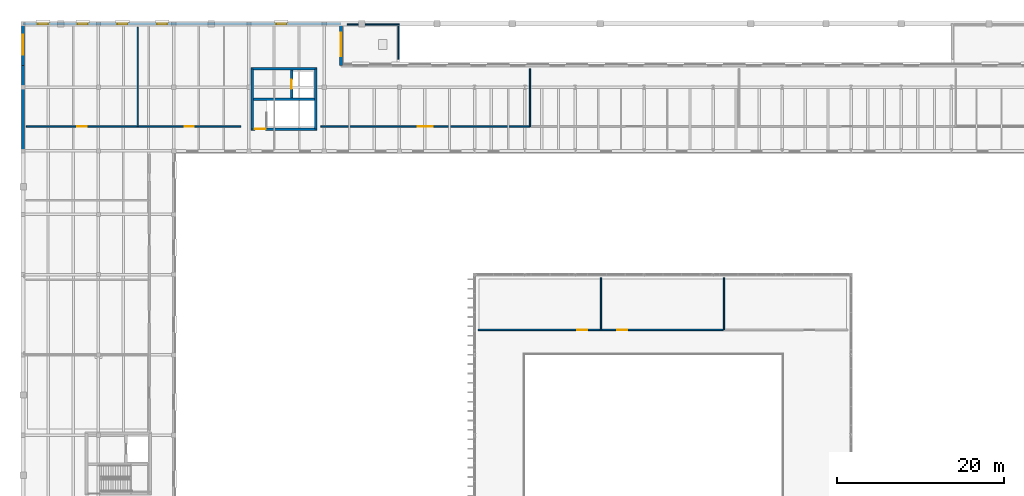
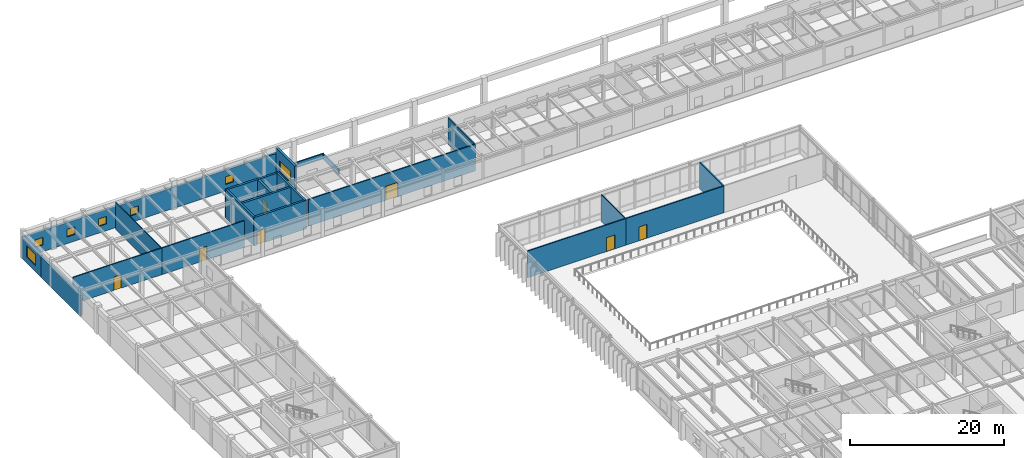
# One storey, part 47 of 64: 21 walls, 7 doors, 7 windows, 14 openings.
"""IFC4 building model written with IfcOpenShell, lengths in metres."""

from ifc_helpers import new_model, si_unit, direction, frame, frame_2d, origin, place, context, subcontext, project, spatial, rectangle, extrude, material, layer, layer_set, type_object, element, fill, save


model = new_model("IFC4")

# Units and contexts
model_context = context("Model", 3, precision=1e-05, world=origin(), true_north=direction((0.0, 1.0)))
body_context = subcontext(model_context, "Body", "Model", "MODEL_VIEW")
ifc_project = project(units=[si_unit("LENGTHUNIT", "METRE"), si_unit("AREAUNIT", "SQUARE_METRE"), si_unit("VOLUMEUNIT", "CUBIC_METRE"), si_unit("PLANEANGLEUNIT", "RADIAN"), si_unit("MASSUNIT", "GRAM", prefix="KILO")], contexts=[model_context])

# Site, building, storey
site_placement = place(None, origin())
site = spatial("IfcSite", under=ifc_project, at=site_placement, CompositionType="ELEMENT")
building_placement = place(site_placement, origin())
building = spatial("IfcBuilding", under=site, at=building_placement, Name="Montealbar Specialist Clinic", CompositionType="ELEMENT")
storey_placement = place(building_placement, frame((0.0, 0.0, 5.10009765625)))
storey = spatial("IfcBuildingStorey", under=building, at=storey_placement, Name="L01", CompositionType="ELEMENT", Elevation=5.10009765625)

# Wall, opening, door
ifc_material_1 = material(Name="Concrete C35/45", Category="concrete")
ifc_layer_1 = layer(ifc_material_1, 0.300048828125, Name="Concrete C35/45", Category="concrete")
ifc_layer_set_1 = layer_set([ifc_layer_1], Name="Concrete C35/45")
wall_type_1 = type_object("IfcWallType", Name="WL-CORE-300", PredefinedType="SHEAR", material=ifc_layer_set_1)
wall_1_placement = place(storey_placement, frame((27.25, 98.39990234375, 0.0), z_axis=(0.0, 0.0, 1.0), x_axis=(1.0, 0.0, 0.0)))
wall_1 = element("IfcWall", 1, at=wall_1_placement, inside=storey, type_object=wall_type_1, Name="Core C2 Shear Wall L01 S", PredefinedType="SHEAR", context=body_context, shape_type="SweptSolid", body=[
    extrude(rectangle(XDim=7.89990234375, YDim=0.300048828125, at=frame_2d((3.949951171875, 0.0))), origin(), (0.0, 0.0, 1.0), 4.5),
])
opening_1_placement = place(wall_1_placement, frame((0.449951171875, 0.0, 0.0)))
opening_1 = element("IfcOpeningElement", 2, at=opening_1_placement, cuts=wall_1, Name="Opening SD-13", PredefinedType="OPENING", context=body_context, shape_type="SweptSolid", body=[
    extrude(rectangle(XDim=1.300048828125, YDim=2.14990234375, at=frame_2d((0.64990234375, 1.074951171875))), frame((0.0, 0.159912109375, 0.0), z_axis=(0.0, -1.0, 0.0), x_axis=(1.0, 0.0, 0.0)), (0.0, 0.0, 1.0), 0.320068359375),
])
ifc_material_2 = material(Name="Steel S355", Category="steel")
door_type_1 = type_object("IfcDoorType", Name="DR-STAIR-W1300", OperationType="NOTDEFINED", PredefinedType="DOOR", material=ifc_material_2)
door_1_placement = place(opening_1_placement, frame((1.300048828125, 0.0, 0.0), z_axis=(0.0, 0.0, 1.0), x_axis=(-1.0, 0.0, 0.0)))
door_1 = element("IfcDoor", 3, at=door_1_placement, inside=storey, type_object=door_type_1, Name="Protected Core C2 Stair Fire Door L01", OperationType="SINGLE_SWING_LEFT", OverallHeight=2.14990234375, OverallWidth=1.300048828125, PredefinedType="DOOR", context=body_context, shape_type="SweptSolid", body=[
    extrude(rectangle(XDim=1.300048828125, YDim=2.14990234375, at=frame_2d((0.64990234375, 1.074951171875))), frame((0.0, 0.02490234375, 0.0), z_axis=(0.0, -1.0, 0.0), x_axis=(1.0, 0.0, 0.0)), (0.0, 0.0, 1.0), 0.050048828125),
])
fill(opening_1, door_1)

# Walls
wall_2_placement = place(storey_placement, frame((27.25, 105.60009765625, 0.0), z_axis=(0.0, 0.0, 1.0), x_axis=(1.0, 0.0, 0.0)))
element("IfcWall", 4, at=wall_2_placement, inside=storey, type_object=wall_type_1, Name="Core C2 Shear Wall L01 N", PredefinedType="SHEAR", context=body_context, shape_type="SweptSolid", body=[
    extrude(rectangle(XDim=7.89990234375, YDim=0.300048828125, at=frame_2d((3.949951171875, 0.0))), origin(), (0.0, 0.0, 1.0), 4.5),
])
for number, where, z_axis, x_axis, name in (
    (5, (27.39990234375, 98.39990234375, 0.0), (0.0, 0.0, 1.0), (0.0, 1.0, 0.0), "Core C2 Shear Wall L01 W"),
    (6, (35.0, 98.39990234375, 0.0), (0.0, 0.0, 1.0), (0.0, 1.0, 0.0), "Core C2 Shear Wall L01 E"),
):
    element("IfcWall", number, at=place(storey_placement, frame(where, z_axis=z_axis, x_axis=x_axis)), inside=storey, type_object=wall_type_1, Name=name, PredefinedType="SHEAR", context=body_context, shape_type="SweptSolid", body=[
        extrude(rectangle(XDim=7.2001953125, YDim=0.300048828125, at=frame_2d((3.60009765625, 0.0))), origin(), (0.0, 0.0, 1.0), 4.5),
    ])
wall_3_placement = place(storey_placement, frame((27.550048828125, 101.949951171875, 0.0), z_axis=(0.0, 0.0, 1.0), x_axis=(1.0, 0.0, 0.0)))
element("IfcWall", 7, at=wall_3_placement, inside=storey, type_object=wall_type_1, Name="Core C2 Stairwell Wall L01", PredefinedType="SHEAR", context=body_context, shape_type="SweptSolid", body=[
    extrude(rectangle(XDim=7.300048828125, YDim=0.300048828125, at=frame_2d((3.64990234375, 0.0))), origin(), (0.0, 0.0, 1.0), 4.5),
])

# Wall, opening, door
wall_4_placement = place(storey_placement, frame((32.10009765625, 102.10009765625, 0.0), z_axis=(0.0, 0.0, 1.0), x_axis=(0.0, 1.0, 0.0)))
wall_4 = element("IfcWall", 8, at=wall_4_placement, inside=storey, type_object=wall_type_1, Name="Lift LF-02 Shaft Wall L01 LW", PredefinedType="SHEAR", context=body_context, shape_type="SweptSolid", body=[
    extrude(rectangle(XDim=3.349853515625, YDim=0.300048828125, at=frame_2d((1.6748046875, 0.0))), origin(), (0.0, 0.0, 1.0), 4.5),
])
opening_2_placement = place(wall_4_placement, frame((1.125, 0.0, 0.0)))
opening_2 = element("IfcOpeningElement", 9, at=opening_2_placement, cuts=wall_4, Name="Opening LD-11", PredefinedType="OPENING", context=body_context, shape_type="SweptSolid", body=[
    extrude(rectangle(XDim=1.10009765625, YDim=2.14990234375, at=frame_2d((0.550048828125, 1.074951171875))), frame((0.0, 0.159912109375, 0.0), z_axis=(0.0, -1.0, 0.0), x_axis=(1.0, 0.0, 0.0)), (0.0, 0.0, 1.0), 0.320068359375),
])
door_type_2 = type_object("IfcDoorType", Name="DR-LIFT-LD1100", OperationType="DOUBLE_DOOR_SLIDING", PredefinedType="DOOR", material=ifc_material_2)
door_2_placement = place(opening_2_placement, origin())
door_2 = element("IfcDoor", 10, at=door_2_placement, inside=storey, type_object=door_type_2, Name="Lift LF-02 Sliding Landing Door L01", OperationType="DOUBLE_DOOR_SLIDING", OverallHeight=2.14990234375, OverallWidth=1.10009765625, PredefinedType="DOOR", context=body_context, shape_type="SweptSolid", body=[
    extrude(rectangle(XDim=1.10009765625, YDim=2.14990234375, at=frame_2d((0.550048828125, 1.074951171875))), frame((0.0, 0.02490234375, 0.0), z_axis=(0.0, -1.0, 0.0), x_axis=(1.0, 0.0, 0.0)), (0.0, 0.0, 1.0), 0.050048828125),
])
fill(opening_2, door_2)

# Wall
ifc_material_3 = material(Name="Guadarrama granite ashlar", Category="masonry")
ifc_layer_2 = layer(ifc_material_3, 0.35009765625, Name="Guadarrama granite ashlar", Category="masonry")
ifc_layer_set_2 = layer_set([ifc_layer_2], Name="Guadarrama granite ashlar")
wall_type_2 = type_object("IfcWallType", Name="WL-EXT-GRANITE-350", PredefinedType="SOLIDWALL", material=ifc_layer_set_2)
wall_5_placement = place(storey_placement, frame((0.0, 95.800048828125, 0.0), z_axis=(0.0, 0.0, 1.0), x_axis=(0.0, 1.0, 0.0)))
element("IfcWall", 11, at=wall_5_placement, inside=storey, type_object=wall_type_2, Name="Exterior Facade Wall EW-L01-023", PredefinedType="SOLIDWALL", context=body_context, shape_type="SweptSolid", body=[
    extrude(rectangle(XDim=10.199951171875, YDim=0.35009765625, at=frame_2d((5.10009765625, 0.0))), origin(), (0.0, 0.0, 1.0), 3.27978515625),
])

# Wall, opening, window
wall_6_placement = place(storey_placement, frame((0.0, 106.0, 0.0), z_axis=(0.0, 0.0, 1.0), x_axis=(0.0, 1.0, 0.0)))
wall_6 = element("IfcWall", 12, at=wall_6_placement, inside=storey, type_object=wall_type_2, Name="Exterior Facade Wall EW-L01-024", PredefinedType="SOLIDWALL", context=body_context, shape_type="SweptSolid", body=[
    extrude(rectangle(XDim=5.0, YDim=0.35009765625, at=frame_2d((2.5, 0.0))), origin(), (0.0, 0.0, 1.0), 3.329833984375),
])
opening_3_placement = place(wall_6_placement, frame((1.300048828125, 0.0, 0.949951171875)))
opening_3 = element("IfcOpeningElement", 13, at=opening_3_placement, cuts=wall_6, Name="Opening WN-09", PredefinedType="OPENING", context=body_context, shape_type="SweptSolid", body=[
    extrude(rectangle(XDim=2.39990234375, YDim=1.75, at=frame_2d((1.199951171875, 0.875))), frame((0.0, 0.18505859375, 0.0), z_axis=(0.0, -1.0, 0.0), x_axis=(1.0, 0.0, 0.0)), (0.0, 0.0, 1.0), 0.3701171875),
])
ifc_material_4 = material(Name="Low-E double glazing", Category="glass")
window_type_1 = type_object("IfcWindowType", Name="WIN-WN-09", PartitioningType="SINGLE_PANEL", PredefinedType="WINDOW", material=ifc_material_4)
window_1_placement = place(opening_3_placement, origin())
window_1 = element("IfcWindow", 14, at=window_1_placement, inside=storey, type_object=window_type_1, Name="Clinical Facade Window WN-09 L01-0070", OverallHeight=1.75, OverallWidth=2.39990234375, PartitioningType="SINGLE_PANEL", PredefinedType="WINDOW", context=body_context, shape_type="SweptSolid", body=[
    extrude(rectangle(XDim=2.39990234375, YDim=1.75, at=frame_2d((1.199951171875, 0.875))), frame((0.0, 0.030029296875, 0.0), z_axis=(0.0, -1.0, 0.0), x_axis=(1.0, 0.0, 0.0)), (0.0, 0.0, 1.0), 0.06005859375),
])
fill(opening_3, window_1)

# Wall, openings, windows
wall_7_placement = place(storey_placement, frame((0.0, 111.0, 0.0), z_axis=(0.0, 0.0, 1.0), x_axis=(1.0, 0.0, 0.0)))
wall_7 = element("IfcWall", 15, at=wall_7_placement, inside=storey, type_object=wall_type_2, Name="Exterior Facade Wall EW-L01-025", PredefinedType="SOLIDWALL", context=body_context, shape_type="SweptSolid", body=[
    extrude(rectangle(XDim=38.0, YDim=0.35009765625, at=frame_2d((19.0, 0.0))), origin(), (0.0, 0.0, 1.0), 3.329833984375),
])
opening_4_placement = place(wall_7_placement, frame((1.77490234375, 0.0, 1.06494140625)))
opening_4 = element("IfcOpeningElement", 16, at=opening_4_placement, cuts=wall_7, Name="Opening WN-18", PredefinedType="OPENING", context=body_context, shape_type="SweptSolid", body=[
    extrude(rectangle(XDim=1.199951171875, YDim=1.199951171875, at=frame_2d((0.60009765625, 0.60009765625))), frame((0.0, 0.18505859375, 0.0), z_axis=(0.0, -1.0, 0.0), x_axis=(1.0, 0.0, 0.0)), (0.0, 0.0, 1.0), 0.3701171875),
])
opening_5_placement = place(wall_7_placement, frame((6.52490234375, 0.0, 1.06494140625)))
opening_5 = element("IfcOpeningElement", 17, at=opening_5_placement, cuts=wall_7, Name="Opening WN-18", PredefinedType="OPENING", context=body_context, shape_type="SweptSolid", body=[
    extrude(rectangle(XDim=1.199951171875, YDim=1.199951171875, at=frame_2d((0.60009765625, 0.60009765625))), frame((0.0, 0.18505859375, 0.0), z_axis=(0.0, -1.0, 0.0), x_axis=(1.0, 0.0, 0.0)), (0.0, 0.0, 1.0), 0.3701171875),
])
opening_6_placement = place(wall_7_placement, frame((11.27490234375, 0.0, 1.06494140625)))
opening_6 = element("IfcOpeningElement", 18, at=opening_6_placement, cuts=wall_7, Name="Opening WN-18", PredefinedType="OPENING", context=body_context, shape_type="SweptSolid", body=[
    extrude(rectangle(XDim=1.199951171875, YDim=1.199951171875, at=frame_2d((0.60009765625, 0.60009765625))), frame((0.0, 0.18505859375, 0.0), z_axis=(0.0, -1.0, 0.0), x_axis=(1.0, 0.0, 0.0)), (0.0, 0.0, 1.0), 0.3701171875),
])
opening_7_placement = place(wall_7_placement, frame((16.02490234375, 0.0, 1.06494140625)))
opening_7 = element("IfcOpeningElement", 19, at=opening_7_placement, cuts=wall_7, Name="Opening WN-18", PredefinedType="OPENING", context=body_context, shape_type="SweptSolid", body=[
    extrude(rectangle(XDim=1.199951171875, YDim=1.199951171875, at=frame_2d((0.60009765625, 0.60009765625))), frame((0.0, 0.18505859375, 0.0), z_axis=(0.0, -1.0, 0.0), x_axis=(1.0, 0.0, 0.0)), (0.0, 0.0, 1.0), 0.3701171875),
])
opening_8_placement = place(wall_7_placement, frame((30.27490234375, 0.0, 1.06494140625)))
opening_8 = element("IfcOpeningElement", 20, at=opening_8_placement, cuts=wall_7, Name="Opening WN-18", PredefinedType="OPENING", context=body_context, shape_type="SweptSolid", body=[
    extrude(rectangle(XDim=1.199951171875, YDim=1.199951171875, at=frame_2d((0.60009765625, 0.60009765625))), frame((0.0, 0.18505859375, 0.0), z_axis=(0.0, -1.0, 0.0), x_axis=(1.0, 0.0, 0.0)), (0.0, 0.0, 1.0), 0.3701171875),
])
window_type_2 = type_object("IfcWindowType", Name="WIN-WN-18", PartitioningType="SINGLE_PANEL", PredefinedType="WINDOW", material=ifc_material_4)
window_2_placement = place(opening_4_placement, origin())
window_2 = element("IfcWindow", 21, at=window_2_placement, inside=storey, type_object=window_type_2, Name="Clinical Facade Postmodern Oculus Window WN-18 L01-0071", OverallHeight=1.199951171875, OverallWidth=1.199951171875, PartitioningType="SINGLE_PANEL", PredefinedType="WINDOW", context=body_context, shape_type="SweptSolid", body=[
    extrude(rectangle(XDim=1.199951171875, YDim=1.199951171875, at=frame_2d((0.60009765625, 0.60009765625))), frame((0.0, 0.030029296875, 0.0), z_axis=(0.0, -1.0, 0.0), x_axis=(1.0, 0.0, 0.0)), (0.0, 0.0, 1.0), 0.06005859375),
])
fill(opening_4, window_2)
window_3_placement = place(opening_5_placement, origin())
window_3 = element("IfcWindow", 22, at=window_3_placement, inside=storey, type_object=window_type_2, Name="Clinical Facade Postmodern Oculus Window WN-18 L01-0072", OverallHeight=1.199951171875, OverallWidth=1.199951171875, PartitioningType="SINGLE_PANEL", PredefinedType="WINDOW", context=body_context, shape_type="SweptSolid", body=[
    extrude(rectangle(XDim=1.199951171875, YDim=1.199951171875, at=frame_2d((0.60009765625, 0.60009765625))), frame((0.0, 0.030029296875, 0.0), z_axis=(0.0, -1.0, 0.0), x_axis=(1.0, 0.0, 0.0)), (0.0, 0.0, 1.0), 0.06005859375),
])
fill(opening_5, window_3)
window_4_placement = place(opening_6_placement, origin())
window_4 = element("IfcWindow", 23, at=window_4_placement, inside=storey, type_object=window_type_2, Name="Clinical Facade Postmodern Oculus Window WN-18 L01-0073", OverallHeight=1.199951171875, OverallWidth=1.199951171875, PartitioningType="SINGLE_PANEL", PredefinedType="WINDOW", context=body_context, shape_type="SweptSolid", body=[
    extrude(rectangle(XDim=1.199951171875, YDim=1.199951171875, at=frame_2d((0.60009765625, 0.60009765625))), frame((0.0, 0.030029296875, 0.0), z_axis=(0.0, -1.0, 0.0), x_axis=(1.0, 0.0, 0.0)), (0.0, 0.0, 1.0), 0.06005859375),
])
fill(opening_6, window_4)
window_5_placement = place(opening_7_placement, origin())
window_5 = element("IfcWindow", 24, at=window_5_placement, inside=storey, type_object=window_type_2, Name="Clinical Facade Postmodern Oculus Window WN-18 L01-0074", OverallHeight=1.199951171875, OverallWidth=1.199951171875, PartitioningType="SINGLE_PANEL", PredefinedType="WINDOW", context=body_context, shape_type="SweptSolid", body=[
    extrude(rectangle(XDim=1.199951171875, YDim=1.199951171875, at=frame_2d((0.60009765625, 0.60009765625))), frame((0.0, 0.030029296875, 0.0), z_axis=(0.0, -1.0, 0.0), x_axis=(1.0, 0.0, 0.0)), (0.0, 0.0, 1.0), 0.06005859375),
])
fill(opening_7, window_5)
window_6_placement = place(opening_8_placement, origin())
window_6 = element("IfcWindow", 25, at=window_6_placement, inside=storey, type_object=window_type_2, Name="Clinical Facade Postmodern Oculus Window WN-18 L01-0075", OverallHeight=1.199951171875, OverallWidth=1.199951171875, PartitioningType="SINGLE_PANEL", PredefinedType="WINDOW", context=body_context, shape_type="SweptSolid", body=[
    extrude(rectangle(XDim=1.199951171875, YDim=1.199951171875, at=frame_2d((0.60009765625, 0.60009765625))), frame((0.0, 0.030029296875, 0.0), z_axis=(0.0, -1.0, 0.0), x_axis=(1.0, 0.0, 0.0)), (0.0, 0.0, 1.0), 0.06005859375),
])
fill(opening_8, window_6)

# Wall, opening, window
wall_8_placement = place(storey_placement, frame((38.0, 111.0, 0.0), z_axis=(0.0, 0.0, 1.0), x_axis=(0.0, -1.0, 0.0)))
wall_8 = element("IfcWall", 26, at=wall_8_placement, inside=storey, type_object=wall_type_2, Name="Exterior Facade Wall EW-L01-026", PredefinedType="SOLIDWALL", context=body_context, shape_type="SweptSolid", body=[
    extrude(rectangle(XDim=5.0, YDim=0.35009765625, at=frame_2d((2.5, 0.0))), origin(), (0.0, 0.0, 1.0), 4.2099609375),
])
opening_9_placement = place(wall_8_placement, frame((1.10009765625, 0.0, 0.949951171875)))
opening_9 = element("IfcOpeningElement", 27, at=opening_9_placement, cuts=wall_8, Name="Opening WN-11", PredefinedType="OPENING", context=body_context, shape_type="SweptSolid", body=[
    extrude(rectangle(XDim=2.800048828125, YDim=1.800048828125, at=frame_2d((1.39990234375, 0.89990234375))), frame((0.0, 0.18505859375, 0.0), z_axis=(0.0, -1.0, 0.0), x_axis=(1.0, 0.0, 0.0)), (0.0, 0.0, 1.0), 0.3701171875),
])
window_type_3 = type_object("IfcWindowType", Name="WIN-WN-11", PartitioningType="SINGLE_PANEL", PredefinedType="WINDOW", material=ifc_material_4)
window_7_placement = place(opening_9_placement, origin())
window_7 = element("IfcWindow", 28, at=window_7_placement, inside=storey, type_object=window_type_3, Name="Clinical Facade Window WN-11 L01-0076", OverallHeight=1.800048828125, OverallWidth=2.800048828125, PartitioningType="SINGLE_PANEL", PredefinedType="WINDOW", context=body_context, shape_type="SweptSolid", body=[
    extrude(rectangle(XDim=2.800048828125, YDim=1.800048828125, at=frame_2d((1.39990234375, 0.89990234375))), frame((0.0, 0.030029296875, 0.0), z_axis=(0.0, -1.0, 0.0), x_axis=(1.0, 0.0, 0.0)), (0.0, 0.0, 1.0), 0.06005859375),
])
fill(opening_9, window_7)

# Walls
ifc_material_5 = material(Name="Precast concrete C40/50", Category="concrete")
ifc_layer_3 = layer(ifc_material_5, 0.199951171875, Name="Precast concrete C40/50", Category="concrete")
ifc_layer_set_3 = layer_set([ifc_layer_3], Name="Precast concrete C40/50")
wall_type_3 = type_object("IfcWallType", Name="WL-PARAPET-200", PredefinedType="PARAPET", material=ifc_layer_set_3)
wall_9_placement = place(storey_placement, frame((38.75, 110.89990234375, 0.0), z_axis=(0.0, 0.0, 1.0), x_axis=(1.0, 0.0, 0.0)))
element("IfcWall", 29, at=wall_9_placement, inside=storey, type_object=wall_type_3, Name="Roof Parapet L01-009", PredefinedType="PARAPET", context=body_context, shape_type="SweptSolid", body=[
    extrude(rectangle(XDim=6.25, YDim=0.199951171875, at=frame_2d((3.125, 0.0))), origin(), (0.0, 0.0, 1.0), 0.849853515625),
])
wall_10_placement = place(storey_placement, frame((44.89990234375, 110.68505859375, 0.0), z_axis=(0.0, 0.0, 1.0), x_axis=(0.0, -1.0, 0.0)))
element("IfcWall", 30, at=wall_10_placement, inside=storey, type_object=wall_type_3, Name="Roof Parapet L01-010", PredefinedType="PARAPET", context=body_context, shape_type="SweptSolid", body=[
    extrude(rectangle(XDim=3.93505859375, YDim=0.199951171875, at=frame_2d((1.967529296875, 0.0))), origin(), (0.0, 0.0, 1.0), 0.849853515625),
])
ifc_material_6 = material(Name="Gypsum acoustic partition", Category="gypsum")
ifc_layer_4 = layer(ifc_material_6, 0.139892578125, Name="Gypsum acoustic partition", Category="gypsum")
ifc_layer_set_4 = layer_set([ifc_layer_4], Name="Gypsum acoustic partition")
wall_type_4 = type_object("IfcWallType", Name="WL-PART-ACOUSTIC-140", PredefinedType="PARTITIONING", material=ifc_layer_set_4)
wall_11_placement = place(storey_placement, frame((60.60009765625, 98.699951171875, 0.0), z_axis=(0.0, 0.0, 1.0), x_axis=(0.0, 1.0, 0.0)))
element("IfcWall", 31, at=wall_11_placement, inside=storey, type_object=wall_type_4, Name="Clinical Partition PART-L01-0079", PredefinedType="PARTITIONING", context=body_context, shape_type="SweptSolid", body=[
    extrude(rectangle(XDim=6.900146484375, YDim=0.139892578125, at=frame_2d((3.4501953125, 0.0))), origin(), (0.0, 0.0, 1.0), 4.2099609375),
])
wall_12_placement = place(storey_placement, frame((13.699951171875, 98.699951171875, 0.0), z_axis=(0.0, 0.0, 1.0), x_axis=(0.0, 1.0, 0.0)))
element("IfcWall", 32, at=wall_12_placement, inside=storey, type_object=wall_type_4, Name="Clinical Partition PART-L01-0109", PredefinedType="PARTITIONING", context=body_context, shape_type="SweptSolid", body=[
    extrude(rectangle(XDim=11.900146484375, YDim=0.139892578125, at=frame_2d((5.9501953125, 0.0))), origin(), (0.0, 0.0, 1.0), 4.2099609375),
])
for number, where, z_axis, x_axis, name in (
    (33, (69.10009765625, 74.39990234375, 0.0), (0.0, 0.0, 1.0), (0.0, 1.0, 0.0), "Clinical Partition PART-L01-0115"),
    (34, (83.800048828125, 74.39990234375, 0.0), (0.0, 0.0, 1.0), (0.0, 1.0, 0.0), "Clinical Partition PART-L01-0117"),
):
    element("IfcWall", number, at=place(storey_placement, frame(where, z_axis=z_axis, x_axis=x_axis)), inside=storey, type_object=wall_type_4, Name=name, PredefinedType="PARTITIONING", context=body_context, shape_type="SweptSolid", body=[
        extrude(rectangle(XDim=6.2001953125, YDim=0.139892578125, at=frame_2d((3.10009765625, 0.0))), origin(), (0.0, 0.0, 1.0), 4.2099609375),
    ])

# Wall, opening, door
ifc_layer_5 = layer(ifc_material_6, 0.159912109375, Name="Gypsum acoustic partition", Category="gypsum")
ifc_layer_set_5 = layer_set([ifc_layer_5], Name="Gypsum acoustic partition")
wall_type_5 = type_object("IfcWallType", Name="WL-PART-CLINIC-160", PredefinedType="PARTITIONING", material=ifc_layer_set_5)
wall_13_placement = place(storey_placement, frame((35.60009765625, 98.699951171875, 0.0), z_axis=(0.0, 0.0, 1.0), x_axis=(1.0, 0.0, 0.0)))
wall_13 = element("IfcWall", 35, at=wall_13_placement, inside=storey, type_object=wall_type_5, Name="Clinical Partition PART-L01-0078", PredefinedType="PARTITIONING", context=body_context, shape_type="SweptSolid", body=[
    extrude(rectangle(XDim=25.0, YDim=0.159912109375, at=frame_2d((12.5, 0.0))), origin(), (0.0, 0.0, 1.0), 4.2099609375),
])
opening_10_placement = place(wall_13_placement, frame((11.60009765625, 0.0, 0.0)))
opening_10 = element("IfcOpeningElement", 36, at=opening_10_placement, cuts=wall_13, Name="Opening ID-180", PredefinedType="OPENING", context=body_context, shape_type="SweptSolid", body=[
    extrude(rectangle(XDim=1.800048828125, YDim=2.25, at=frame_2d((0.89990234375, 1.125))), frame((0.0, 0.08984375, 0.0), z_axis=(0.0, -1.0, 0.0), x_axis=(1.0, 0.0, 0.0)), (0.0, 0.0, 1.0), 0.179931640625),
])
ifc_material_7 = material(Name="Acoustic timber leaf", Category="wood")
door_type_3 = type_object("IfcDoorType", Name="DR-DBL-W1800", OperationType="DOUBLE_DOOR_SINGLE_SWING", PredefinedType="DOOR", material=ifc_material_7)
door_3_placement = place(opening_10_placement, frame((1.800048828125, 0.0, 0.0), z_axis=(0.0, 0.0, 1.0), x_axis=(-1.0, 0.0, 0.0)))
door_3 = element("IfcDoor", 37, at=door_3_placement, inside=storey, type_object=door_type_3, Name="Clinical Room Door IDR-L01-0053", OperationType="DOUBLE_DOOR_SINGLE_SWING", OverallHeight=2.25, OverallWidth=1.800048828125, PredefinedType="DOOR", context=body_context, shape_type="SweptSolid", body=[
    extrude(rectangle(XDim=1.800048828125, YDim=2.25, at=frame_2d((0.89990234375, 1.125))), frame((0.0, 0.02490234375, 0.0), z_axis=(0.0, -1.0, 0.0), x_axis=(1.0, 0.0, 0.0)), (0.0, 0.0, 1.0), 0.050048828125),
])
fill(opening_10, door_3)

wall_14_placement = place(storey_placement, frame((0.39990234375, 98.699951171875, 0.0), z_axis=(0.0, 0.0, 1.0), x_axis=(1.0, 0.0, 0.0)))
wall_14 = element("IfcWall", 38, at=wall_14_placement, inside=storey, type_object=wall_type_5, Name="Clinical Partition PART-L01-0108", PredefinedType="PARTITIONING", context=body_context, shape_type="SweptSolid", body=[
    extrude(rectangle(XDim=13.300048828125, YDim=0.159912109375, at=frame_2d((6.64990234375, 0.0))), origin(), (0.0, 0.0, 1.0), 4.2099609375),
])
opening_11_placement = place(wall_14_placement, frame((6.10009765625, 0.0, 0.0)))
opening_11 = element("IfcOpeningElement", 39, at=opening_11_placement, cuts=wall_14, Name="Opening ID-110", PredefinedType="OPENING", context=body_context, shape_type="SweptSolid", body=[
    extrude(rectangle(XDim=1.10009765625, YDim=2.14990234375, at=frame_2d((0.550048828125, 1.074951171875))), frame((0.0, 0.08984375, 0.0), z_axis=(0.0, -1.0, 0.0), x_axis=(1.0, 0.0, 0.0)), (0.0, 0.0, 1.0), 0.179931640625),
])
door_type_4 = type_object("IfcDoorType", Name="DR-CLIN-W1100", OperationType="NOTDEFINED", PredefinedType="DOOR", material=ifc_material_7)
door_4_placement = place(opening_11_placement, frame((1.10009765625, 0.0, 0.0), z_axis=(0.0, 0.0, 1.0), x_axis=(-1.0, 0.0, 0.0)))
door_4 = element("IfcDoor", 40, at=door_4_placement, inside=storey, type_object=door_type_4, Name="Clinical Room Door IDR-L01-0071", OperationType="SINGLE_SWING_RIGHT", OverallHeight=2.14990234375, OverallWidth=1.10009765625, PredefinedType="DOOR", context=body_context, shape_type="SweptSolid", body=[
    extrude(rectangle(XDim=1.10009765625, YDim=2.14990234375, at=frame_2d((0.550048828125, 1.074951171875))), frame((0.0, 0.02490234375, 0.0), z_axis=(0.0, -1.0, 0.0), x_axis=(1.0, 0.0, 0.0)), (0.0, 0.0, 1.0), 0.050048828125),
])
fill(opening_11, door_4)

wall_15_placement = place(storey_placement, frame((13.699951171875, 98.699951171875, 0.0), z_axis=(0.0, 0.0, 1.0), x_axis=(1.0, 0.0, 0.0)))
wall_15 = element("IfcWall", 41, at=wall_15_placement, inside=storey, type_object=wall_type_5, Name="Clinical Partition PART-L01-0110", PredefinedType="PARTITIONING", context=body_context, shape_type="SweptSolid", body=[
    extrude(rectangle(XDim=12.35009765625, YDim=0.159912109375, at=frame_2d((6.175048828125, 0.0))), origin(), (0.0, 0.0, 1.0), 4.2099609375),
])
opening_12_placement = place(wall_15_placement, frame((5.625, 0.0, 0.0)))
opening_12 = element("IfcOpeningElement", 42, at=opening_12_placement, cuts=wall_15, Name="Opening ID-110", PredefinedType="OPENING", context=body_context, shape_type="SweptSolid", body=[
    extrude(rectangle(XDim=1.10009765625, YDim=2.14990234375, at=frame_2d((0.550048828125, 1.074951171875))), frame((0.0, 0.08984375, 0.0), z_axis=(0.0, -1.0, 0.0), x_axis=(1.0, 0.0, 0.0)), (0.0, 0.0, 1.0), 0.179931640625),
])
door_5_placement = place(opening_12_placement, frame((1.10009765625, 0.0, 0.0), z_axis=(0.0, 0.0, 1.0), x_axis=(-1.0, 0.0, 0.0)))
door_5 = element("IfcDoor", 43, at=door_5_placement, inside=storey, type_object=door_type_4, Name="Clinical Room Door IDR-L01-0072", OperationType="SINGLE_SWING_LEFT", OverallHeight=2.14990234375, OverallWidth=1.10009765625, PredefinedType="DOOR", context=body_context, shape_type="SweptSolid", body=[
    extrude(rectangle(XDim=1.10009765625, YDim=2.14990234375, at=frame_2d((0.550048828125, 1.074951171875))), frame((0.0, 0.02490234375, 0.0), z_axis=(0.0, -1.0, 0.0), x_axis=(1.0, 0.0, 0.0)), (0.0, 0.0, 1.0), 0.050048828125),
])
fill(opening_12, door_5)

wall_16_placement = place(storey_placement, frame((54.39990234375, 74.39990234375, 0.0), z_axis=(0.0, 0.0, 1.0), x_axis=(1.0, 0.0, 0.0)))
wall_16 = element("IfcWall", 44, at=wall_16_placement, inside=storey, type_object=wall_type_5, Name="Clinical Partition PART-L01-0114", PredefinedType="PARTITIONING", context=body_context, shape_type="SweptSolid", body=[
    extrude(rectangle(XDim=14.7001953125, YDim=0.159912109375, at=frame_2d((7.35009765625, 0.0))), origin(), (0.0, 0.0, 1.0), 4.2099609375),
])
opening_13_placement = place(wall_16_placement, frame((11.830078125, 0.0, 0.0)))
opening_13 = element("IfcOpeningElement", 45, at=opening_13_placement, cuts=wall_16, Name="Opening ID-120", PredefinedType="OPENING", context=body_context, shape_type="SweptSolid", body=[
    extrude(rectangle(XDim=1.199951171875, YDim=2.199951171875, at=frame_2d((0.60009765625, 1.10009765625))), frame((0.0, 0.08984375, 0.0), z_axis=(0.0, -1.0, 0.0), x_axis=(1.0, 0.0, 0.0)), (0.0, 0.0, 1.0), 0.179931640625),
])
door_type_5 = type_object("IfcDoorType", Name="DR-CLIN-W1200", OperationType="NOTDEFINED", PredefinedType="DOOR", material=ifc_material_7)
door_6_placement = place(opening_13_placement, frame((1.199951171875, 0.0, 0.0), z_axis=(0.0, 0.0, 1.0), x_axis=(-1.0, 0.0, 0.0)))
door_6 = element("IfcDoor", 46, at=door_6_placement, inside=storey, type_object=door_type_5, Name="Clinical Room Door IDR-L01-0075", OperationType="SINGLE_SWING_RIGHT", OverallHeight=2.199951171875, OverallWidth=1.199951171875, PredefinedType="DOOR", context=body_context, shape_type="SweptSolid", body=[
    extrude(rectangle(XDim=1.199951171875, YDim=2.199951171875, at=frame_2d((0.60009765625, 1.10009765625))), frame((0.0, 0.02490234375, 0.0), z_axis=(0.0, -1.0, 0.0), x_axis=(1.0, 0.0, 0.0)), (0.0, 0.0, 1.0), 0.050048828125),
])
fill(opening_13, door_6)

wall_17_placement = place(storey_placement, frame((69.10009765625, 74.39990234375, 0.0), z_axis=(0.0, 0.0, 1.0), x_axis=(1.0, 0.0, 0.0)))
wall_17 = element("IfcWall", 47, at=wall_17_placement, inside=storey, type_object=wall_type_5, Name="Clinical Partition PART-L01-0116", PredefinedType="PARTITIONING", context=body_context, shape_type="SweptSolid", body=[
    extrude(rectangle(XDim=14.699951171875, YDim=0.159912109375, at=frame_2d((7.35009765625, 0.0))), origin(), (0.0, 0.0, 1.0), 4.2099609375),
])
opening_14_placement = place(wall_17_placement, frame((1.924072265625, 0.0, 0.0)))
opening_14 = element("IfcOpeningElement", 48, at=opening_14_placement, cuts=wall_17, Name="Opening ID-120", PredefinedType="OPENING", context=body_context, shape_type="SweptSolid", body=[
    extrude(rectangle(XDim=1.199951171875, YDim=2.199951171875, at=frame_2d((0.60009765625, 1.10009765625))), frame((0.0, 0.08984375, 0.0), z_axis=(0.0, -1.0, 0.0), x_axis=(1.0, 0.0, 0.0)), (0.0, 0.0, 1.0), 0.179931640625),
])
door_7_placement = place(opening_14_placement, frame((1.199951171875, 0.0, 0.0), z_axis=(0.0, 0.0, 1.0), x_axis=(-1.0, 0.0, 0.0)))
door_7 = element("IfcDoor", 49, at=door_7_placement, inside=storey, type_object=door_type_5, Name="Clinical Room Door IDR-L01-0076", OperationType="SINGLE_SWING_LEFT", OverallHeight=2.199951171875, OverallWidth=1.199951171875, PredefinedType="DOOR", context=body_context, shape_type="SweptSolid", body=[
    extrude(rectangle(XDim=1.199951171875, YDim=2.199951171875, at=frame_2d((0.60009765625, 1.10009765625))), frame((0.0, 0.02490234375, 0.0), z_axis=(0.0, -1.0, 0.0), x_axis=(1.0, 0.0, 0.0)), (0.0, 0.0, 1.0), 0.050048828125),
])
fill(opening_14, door_7)

save(model, "model.ifc")
